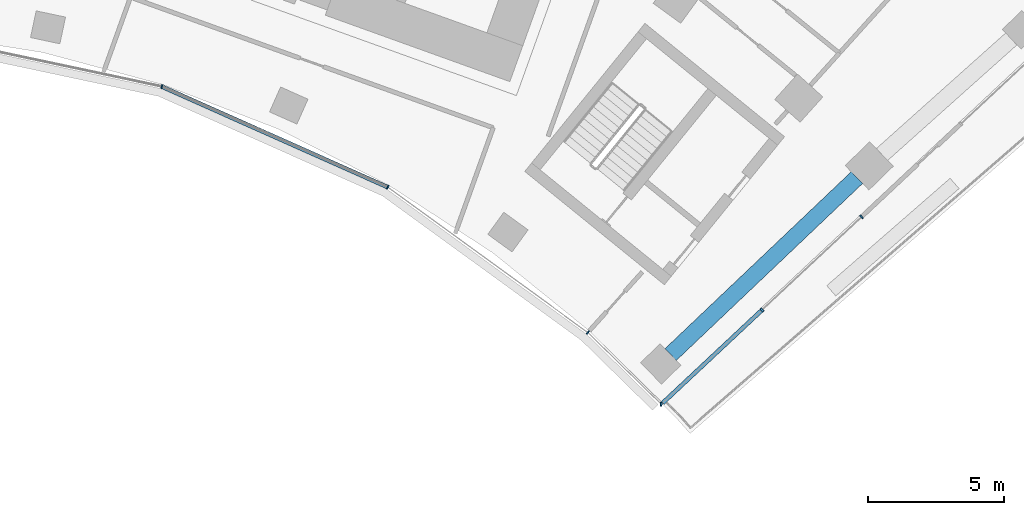
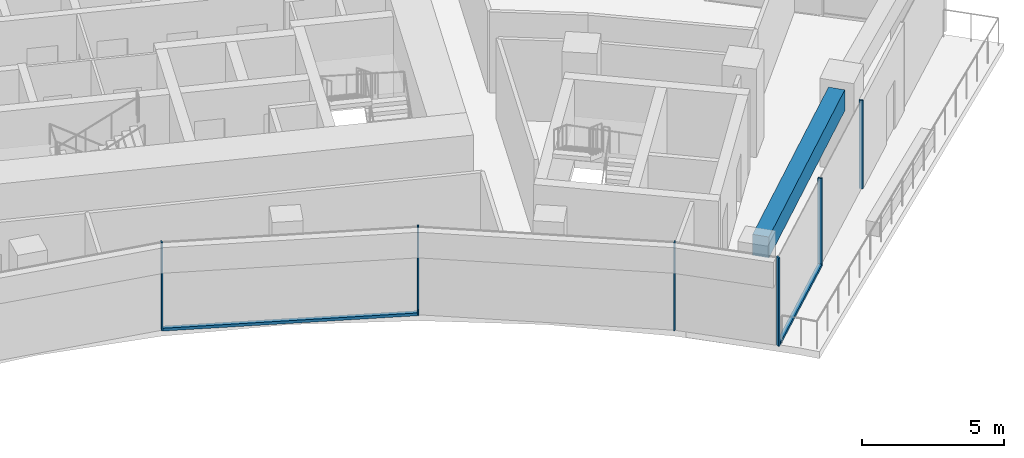
# One storey, part 8 of 20: 8 members, 1 beam, 2 elements without a shape of their own.
"""IFC4 building model written with IfcOpenShell, lengths in metres."""

from ifc_helpers import new_model, si_unit, direction, frame, origin, origin_2d, place, context, subcontext, project, spatial, rectangle, extrude, material, layer, layer_set, material_profile, profile_set, type_object, element, aggregate, save


model = new_model("IFC4")

# Units and contexts
model_context = context("Model", 3, precision=1e-05, world=origin(), true_north=direction((0.0, 1.0)))
body_context = subcontext(model_context, "Body", "Model", "MODEL_VIEW")
ifc_project = project(units=[si_unit("LENGTHUNIT", "METRE"), si_unit("AREAUNIT", "SQUARE_METRE"), si_unit("VOLUMEUNIT", "CUBIC_METRE"), si_unit("PLANEANGLEUNIT", "RADIAN"), si_unit("MASSUNIT", "GRAM", prefix="KILO")], contexts=[model_context])

# Site, building, storey
site_placement = place(None, origin())
site = spatial("IfcSite", under=ifc_project, at=site_placement, CompositionType="ELEMENT")
building_placement = place(site_placement, origin())
building = spatial("IfcBuilding", under=site, at=building_placement, Name="Stone Belt Terrace Tower", CompositionType="ELEMENT")
storey_placement = place(building_placement, frame((0.0, 0.0, 182.0)))
storey = spatial("IfcBuildingStorey", under=building, at=storey_placement, Name="L44", CompositionType="ELEMENT", Elevation=182.0)

# Curtain wall, members
ifc_material_1 = material(Name="Aluminium 6063-T6 anodised frame", Category="aluminium")
ifc_layer_1 = layer(ifc_material_1, 0.14990234375)
ifc_layer_set_1 = layer_set([ifc_layer_1], Name="CW-B unitised concave-face curtain wall")
curtain_wall_type_1 = type_object("IfcCurtainWallType", Name="CW-B unitised concave-face curtain wall", PredefinedType="NOTDEFINED", material=ifc_layer_set_1)
curtain_wall_1_placement = place(storey_placement, origin())
curtain_wall_1 = element("IfcCurtainWall", 1, at=curtain_wall_1_placement, inside=storey, type_object=curtain_wall_type_1, Name="CW-B concave face L44", PredefinedType="NOTDEFINED")
ifc_material_profile_1 = material_profile(ifc_material_1, rectangle(XDim=0.14990234375, YDim=0.050048828125, at=origin_2d()), Name="Aluminium 6063-T6 50x150")
ifc_profile_set_1 = profile_set([ifc_material_profile_1], Name="Aluminium 6063-T6 anodised frame")
member_type_1 = type_object("IfcMemberType", Name="CW-B mullion 50 x 150", PredefinedType="MULLION", material=ifc_profile_set_1)
member_1_placement = place(storey_placement, frame((13.4189453125, 41.29931640625, 0.0), z_axis=(0.0, 0.0, 1.0), x_axis=(0.309016994375, 0.951056516295, 0.0)))
member_1 = element("IfcMember", 2, at=member_1_placement, type_object=member_type_1, Name="CW-B mullion 7", PredefinedType="MULLION", context=body_context, shape_type="SweptSolid", body=[
    extrude(rectangle(XDim=0.14990234375, YDim=0.050048828125, at=origin_2d()), origin(), (0.0, 0.0, 1.0), 3.800048828125),
])
member_2_placement = place(storey_placement, frame((21.71240234375, 37.606689453125, 0.0), z_axis=(0.0, 0.0, 1.0), x_axis=(0.5, 0.866025403784, 0.0)))
member_2 = element("IfcMember", 3, at=member_2_placement, type_object=member_type_1, Name="CW-B mullion 8", PredefinedType="MULLION", context=body_context, shape_type="SweptSolid", body=[
    extrude(rectangle(XDim=0.14990234375, YDim=0.050048828125, at=origin_2d()), origin(), (0.0, 0.0, 1.0), 3.800048828125),
])
member_3_placement = place(storey_placement, frame((29.05859375, 32.269287109375, 0.0), z_axis=(0.0, 0.0, 1.0), x_axis=(0.645718816337, 0.763575281311, 0.0)))
member_3 = element("IfcMember", 4, at=member_3_placement, type_object=member_type_1, Name="CW-B mullion 9", PredefinedType="MULLION", context=body_context, shape_type="SweptSolid", body=[
    extrude(rectangle(XDim=0.14990234375, YDim=0.050048828125, at=origin_2d()), origin(), (0.0, 0.0, 1.0), 3.800048828125),
])
ifc_material_profile_2 = material_profile(ifc_material_1, rectangle(XDim=0.14990234375, YDim=0.1201171875, at=origin_2d()), Name="Aluminium 6063-T6 150x120")
ifc_profile_set_2 = profile_set([ifc_material_profile_2], Name="Aluminium 6063-T6 anodised frame")
member_type_2 = type_object("IfcMemberType", Name="CW-B transom 120 x 150", PredefinedType="USERDEFINED", material=ifc_profile_set_2)
member_4_placement = place(storey_placement, frame((13.44873046875, 41.285888671875, 0.06005859375), z_axis=(0.913548853737, -0.406729015237, 0.0), x_axis=(0.406729015237, 0.913548853737, 0.0)))
member_4 = element("IfcMember", 5, at=member_4_placement, type_object=member_type_2, Name="CW-B transom 7.1", ObjectType="TRANSOM", PredefinedType="USERDEFINED", context=body_context, shape_type="SweptSolid", body=[
    extrude(rectangle(XDim=0.14990234375, YDim=0.1201171875, at=origin_2d()), origin(), (0.0, 0.0, 1.0), 9.0126953125),
])
aggregate(curtain_wall_1, [member_1, member_2, member_3, member_4])

ifc_layer_2 = layer(ifc_material_1, 0.14990234375)
ifc_layer_set_2 = layer_set([ifc_layer_2], Name="CW-C stick curtain wall, horn ends and notches")
curtain_wall_type_2 = type_object("IfcCurtainWallType", Name="CW-C stick curtain wall, horn ends and notches", PredefinedType="NOTDEFINED", material=ifc_layer_set_2)
curtain_wall_2_placement = place(storey_placement, origin())
curtain_wall_2 = element("IfcCurtainWall", 6, at=curtain_wall_2_placement, inside=storey, type_object=curtain_wall_type_2, Name="CW-C end face L44", PredefinedType="NOTDEFINED")
ifc_material_profile_3 = material_profile(ifc_material_1, rectangle(XDim=0.14990234375, YDim=0.06005859375, at=origin_2d()), Name="Aluminium 6063-T6 60x150")
ifc_profile_set_3 = profile_set([ifc_material_profile_3], Name="Aluminium 6063-T6 anodised frame")
member_type_3 = type_object("IfcMemberType", Name="CW-C mullion 60 x 150", PredefinedType="MULLION", material=ifc_profile_set_3)
member_5_placement = place(storey_placement, frame((31.749755859375, 29.630615234375, 0.0), z_axis=(0.0, 0.0, 1.0), x_axis=(0.011497518366, 0.999933901351, 0.0)))
member_5 = element("IfcMember", 7, at=member_5_placement, type_object=member_type_3, Name="CW-C mullion 1", PredefinedType="MULLION", context=body_context, shape_type="SweptSolid", body=[
    extrude(rectangle(XDim=0.14990234375, YDim=0.06005859375, at=origin_2d()), origin(), (0.0, 0.0, 1.0), 3.800048828125),
])
member_6_placement = place(storey_placement, frame((35.45166015625, 33.097412109375, 0.0), z_axis=(0.0, 0.0, 1.0), x_axis=(-0.683549434973, 0.729904219708, 0.0)))
member_6 = element("IfcMember", 8, at=member_6_placement, type_object=member_type_3, Name="CW-C mullion 2", PredefinedType="MULLION", context=body_context, shape_type="SweptSolid", body=[
    extrude(rectangle(XDim=0.14990234375, YDim=0.06005859375, at=origin_2d()), origin(), (0.0, 0.0, 1.0), 3.800048828125),
])
member_7_placement = place(storey_placement, frame((39.10107421875, 36.51513671875, 0.0), z_axis=(0.0, 0.0, 1.0), x_axis=(-0.683549434973, 0.729904219708, 0.0)))
member_7 = element("IfcMember", 9, at=member_7_placement, type_object=member_type_3, Name="CW-C mullion 3", PredefinedType="MULLION", context=body_context, shape_type="SweptSolid", body=[
    extrude(rectangle(XDim=0.14990234375, YDim=0.06005859375, at=origin_2d()), origin(), (0.0, 0.0, 1.0), 3.800048828125),
])
ifc_material_profile_4 = material_profile(ifc_material_1, rectangle(XDim=0.14990234375, YDim=0.1201171875, at=origin_2d()), Name="Aluminium 6063-T6 150x120")
ifc_profile_set_4 = profile_set([ifc_material_profile_4], Name="Aluminium 6063-T6 anodised frame")
member_type_4 = type_object("IfcMemberType", Name="CW-C transom 120 x 150", PredefinedType="USERDEFINED", material=ifc_profile_set_4)
member_8_placement = place(storey_placement, frame((31.80322265625, 29.680908203125, 0.06005859375), z_axis=(0.729920194982, 0.683532375939, 0.0), x_axis=(-0.683532375939, 0.729920194982, 0.0)))
member_8 = element("IfcMember", 10, at=member_8_placement, type_object=member_type_4, Name="CW-C transom 1.1", ObjectType="TRANSOM", PredefinedType="USERDEFINED", context=body_context, shape_type="SweptSolid", body=[
    extrude(rectangle(XDim=0.14990234375, YDim=0.1201171875, at=origin_2d()), origin(), (0.0, 0.0, 1.0), 4.96826171875),
])
aggregate(curtain_wall_2, [member_5, member_6, member_7, member_8])

# Beam
ifc_material_2 = material(Name="Concrete B60", Category="concrete")
ifc_material_profile_5 = material_profile(ifc_material_2, rectangle(XDim=0.60009765625, YDim=0.89990234375, at=origin_2d()), Name="RC 600x900")
ifc_profile_set_5 = profile_set([ifc_material_profile_5], Name="Concrete B60")
beam_type = type_object("IfcBeamType", Name="Edge beam RC 600x900 B60", PredefinedType="SPANDREL", material=ifc_profile_set_5)
beam_placement = place(storey_placement, frame((32.097412109375, 31.461181640625, 3.030029296875), z_axis=(0.725033041143, 0.688714083819, 0.0), x_axis=(-0.688714083819, 0.725033041143, 0.0)))
element("IfcBeam", 11, at=beam_placement, inside=storey, type_object=beam_type, Name="Edge beam L44 B P to Q", PredefinedType="SPANDREL", context=body_context, shape_type="SweptSolid", body=[
    extrude(rectangle(XDim=0.60009765625, YDim=0.89990234375, at=origin_2d()), origin(), (0.0, 0.0, 1.0), 9.43115234375),
])

save(model, "model.ifc")
